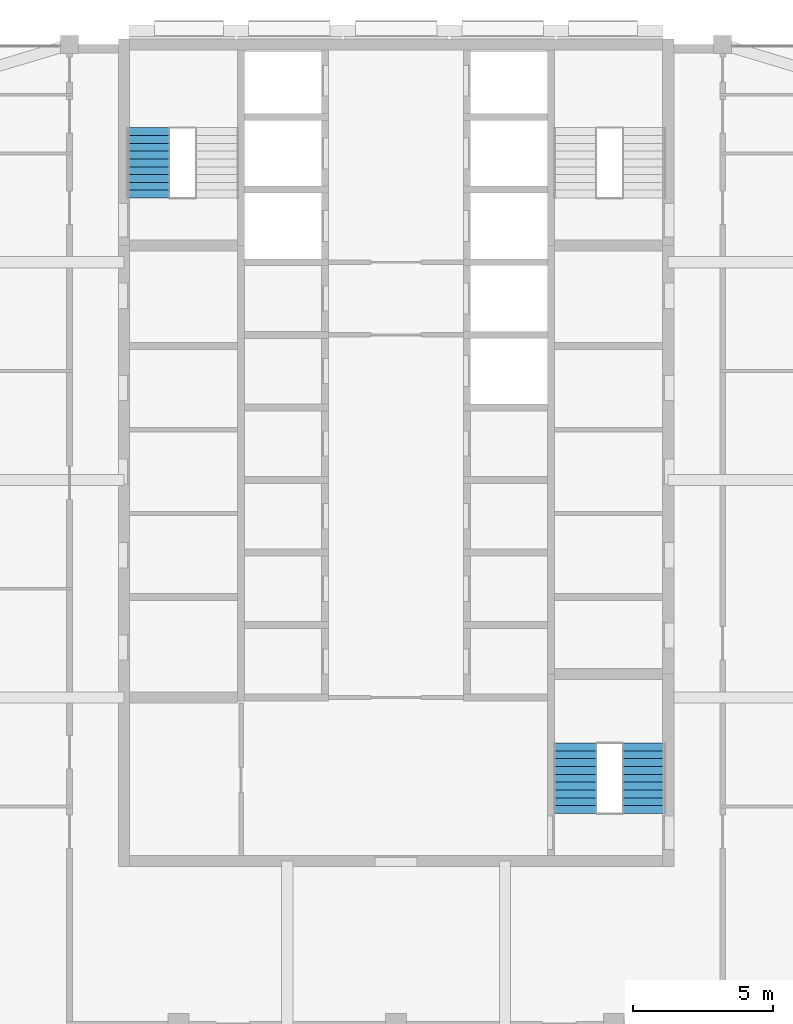
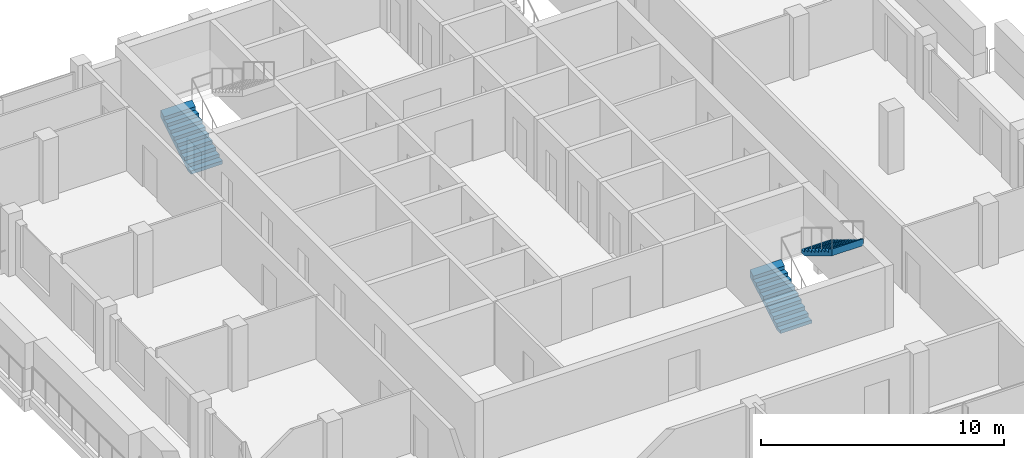
# One storey, part 15 of 19: 3 stair flights, 2 elements without a shape of their own.
"""IFC4 building model written with IfcOpenShell, lengths in metres."""

from ifc_helpers import new_model, si_unit, direction, frame, origin, place, context, subcontext, project, spatial, triangles, material, type_object, element, aggregate, save


model = new_model("IFC4")

# Units and contexts
model_context = context("Model", 3, precision=1e-05, world=origin(), true_north=direction((0.0, 1.0)))
body_context = subcontext(model_context, "Body", "Model", "MODEL_VIEW")
ifc_project = project(units=[si_unit("LENGTHUNIT", "METRE"), si_unit("AREAUNIT", "SQUARE_METRE"), si_unit("VOLUMEUNIT", "CUBIC_METRE"), si_unit("PLANEANGLEUNIT", "RADIAN"), si_unit("MASSUNIT", "GRAM", prefix="KILO")], contexts=[model_context])

# Site, building, storey
site_placement = place(None, origin())
site = spatial("IfcSite", under=ifc_project, at=site_placement, CompositionType="ELEMENT")
building_placement = place(site_placement, origin())
building = spatial("IfcBuilding", under=site, at=building_placement, Name="Ludao Terraces", CompositionType="ELEMENT")
storey_placement = place(building_placement, frame((0.0, 0.0, 256.199951171875)))
storey = spatial("IfcBuildingStorey", under=building, at=storey_placement, Name="L70", CompositionType="ELEMENT", Elevation=256.199951171875)

# Stair, stair flight
ifc_material = material(Name="Concrete C40", Category="concrete")
stair_type = type_object("IfcStairType", Name="INT Stair", PredefinedType="HALF_TURN_STAIR", material=ifc_material)
stair_1_placement = place(storey_placement, origin())
stair_1 = element("IfcStair", 1, at=stair_1_placement, inside=storey, type_object=stair_type, Name="EXIT STAIR 1", PredefinedType="HALF_TURN_STAIR")
stair_flight_type = type_object("IfcStairFlightType", Name="INT Stair flight", PredefinedType="STRAIGHT", material=ifc_material)
stair_flight_1_placement = place(storey_placement, frame((76.125, 79.0, 0.0), z_axis=(0.0, 0.0, 1.0), x_axis=(0.0, 1.0, 0.0)))
stair_flight_1 = element("IfcStairFlight", 2, at=stair_flight_1_placement, type_object=stair_flight_type, Name="ST1 flight 1", NumberOfRisers=10, NumberOfTreads=9, PredefinedType="STRAIGHT", RiserHeight=0.17, TreadLength=0.28, context=body_context, shape_type="Tessellation", body=[
    triangles([(0.0, -0.75, 0.0), (0.0, -0.5, 0.0), (0.0, -0.25, 0.0), (0.0, 0.0, 0.0), (0.0, 0.25, 0.0), (0.0, 0.5, 0.0), (0.0, 0.75, 0.0), (0.0, -0.75, 0.169921875), (0.0, -0.5, 0.169921875), (0.0, -0.25, 0.169921875), (0.0, 0.0, 0.169921875), (0.0, 0.25, 0.169921875), (0.0, 0.5, 0.169921875), (0.0, 0.75, 0.169921875), (0.280029296875, -0.75, 0.169921875), (0.280029296875, -0.5, 0.169921875), (0.280029296875, -0.25, 0.169921875), (0.280029296875, 0.0, 0.169921875), (0.280029296875, 0.25, 0.169921875), (0.280029296875, 0.5, 0.169921875), (0.280029296875, 0.75, 0.169921875), (0.280029296875, -0.75, 0.340087890625), (0.280029296875, -0.5, 0.340087890625), (0.280029296875, -0.25, 0.340087890625), (0.280029296875, 0.0, 0.340087890625), (0.280029296875, 0.25, 0.340087890625), (0.280029296875, 0.5, 0.340087890625), (0.280029296875, 0.75, 0.340087890625), (0.56005859375, -0.75, 0.340087890625), (0.56005859375, -0.5, 0.340087890625), (0.56005859375, -0.25, 0.340087890625), (0.56005859375, 0.0, 0.340087890625), (0.56005859375, 0.25, 0.340087890625), (0.56005859375, 0.5, 0.340087890625), (0.56005859375, 0.75, 0.340087890625), (0.56005859375, -0.75, 0.510009765625), (0.56005859375, -0.5, 0.510009765625), (0.56005859375, -0.25, 0.510009765625), (0.56005859375, 0.0, 0.510009765625), (0.56005859375, 0.25, 0.510009765625), (0.56005859375, 0.5, 0.510009765625), (0.56005859375, 0.75, 0.510009765625), (0.840087890625, -0.75, 0.510009765625), (0.840087890625, -0.5, 0.510009765625), (0.840087890625, -0.25, 0.510009765625), (0.840087890625, 0.0, 0.510009765625), (0.840087890625, 0.25, 0.510009765625), (0.840087890625, 0.5, 0.510009765625), (0.840087890625, 0.75, 0.510009765625), (0.840087890625, -0.75, 0.679931640625), (0.840087890625, -0.5, 0.679931640625), (0.840087890625, -0.25, 0.679931640625), (0.840087890625, 0.0, 0.679931640625), (0.840087890625, 0.25, 0.679931640625), (0.840087890625, 0.5, 0.679931640625), (0.840087890625, 0.75, 0.679931640625), (1.1201171875, -0.75, 0.679931640625), (1.1201171875, -0.5, 0.679931640625), (1.1201171875, -0.25, 0.679931640625), (1.1201171875, 0.0, 0.679931640625), (1.1201171875, 0.25, 0.679931640625), (1.1201171875, 0.5, 0.679931640625), (1.1201171875, 0.75, 0.679931640625), (1.1201171875, -0.75, 0.85009765625), (1.1201171875, -0.5, 0.85009765625), (1.1201171875, -0.25, 0.85009765625), (1.1201171875, 0.0, 0.85009765625), (1.1201171875, 0.25, 0.85009765625), (1.1201171875, 0.5, 0.85009765625), (1.1201171875, 0.75, 0.85009765625), (1.39990234375, -0.75, 0.85009765625), (1.39990234375, -0.5, 0.85009765625), (1.39990234375, -0.25, 0.85009765625), (1.39990234375, 0.0, 0.85009765625), (1.39990234375, 0.25, 0.85009765625), (1.39990234375, 0.5, 0.85009765625), (1.39990234375, 0.75, 0.85009765625), (1.39990234375, -0.75, 1.02001953125), (1.39990234375, -0.5, 1.02001953125), (1.39990234375, -0.25, 1.02001953125), (1.39990234375, 0.0, 1.02001953125), (1.39990234375, 0.25, 1.02001953125), (1.39990234375, 0.5, 1.02001953125), (1.39990234375, 0.75, 1.02001953125), (1.679931640625, -0.75, 1.02001953125), (1.679931640625, -0.5, 1.02001953125), (1.679931640625, -0.25, 1.02001953125), (1.679931640625, 0.0, 1.02001953125), (1.679931640625, 0.25, 1.02001953125), (1.679931640625, 0.5, 1.02001953125), (1.679931640625, 0.75, 1.02001953125), (1.679931640625, -0.75, 1.18994140625), (1.679931640625, -0.5, 1.18994140625), (1.679931640625, -0.25, 1.18994140625), (1.679931640625, 0.0, 1.18994140625), (1.679931640625, 0.25, 1.18994140625), (1.679931640625, 0.5, 1.18994140625), (1.679931640625, 0.75, 1.18994140625), (1.9599609375, -0.75, 1.18994140625), (1.9599609375, -0.5, 1.18994140625), (1.9599609375, -0.25, 1.18994140625), (1.9599609375, 0.0, 1.18994140625), (1.9599609375, 0.25, 1.18994140625), (1.9599609375, 0.5, 1.18994140625), (1.9599609375, 0.75, 1.18994140625), (1.9599609375, -0.75, 1.360107421875), (1.9599609375, -0.5, 1.360107421875), (1.9599609375, -0.25, 1.360107421875), (1.9599609375, 0.0, 1.360107421875), (1.9599609375, 0.25, 1.360107421875), (1.9599609375, 0.5, 1.360107421875), (1.9599609375, 0.75, 1.360107421875), (2.239990234375, -0.75, 1.360107421875), (2.239990234375, -0.5, 1.360107421875), (2.239990234375, -0.25, 1.360107421875), (2.239990234375, 0.0, 1.360107421875), (2.239990234375, 0.25, 1.360107421875), (2.239990234375, 0.5, 1.360107421875), (2.239990234375, 0.75, 1.360107421875), (2.239990234375, -0.75, 1.530029296875), (2.239990234375, -0.5, 1.530029296875), (2.239990234375, -0.25, 1.530029296875), (2.239990234375, 0.0, 1.530029296875), (2.239990234375, 0.25, 1.530029296875), (2.239990234375, 0.5, 1.530029296875), (2.239990234375, 0.75, 1.530029296875), (2.52001953125, -0.75, 1.699951171875), (2.52001953125, -0.5, 1.699951171875), (2.52001953125, -0.25, 1.699951171875), (2.52001953125, 0.0, 1.699951171875), (2.52001953125, 0.25, 1.699951171875), (2.52001953125, 0.5, 1.699951171875), (2.52001953125, 0.75, 1.699951171875), (2.52001953125, -0.75, 1.354736328125), (2.52001953125, -0.5, 1.354736328125), (2.52001953125, -0.25, 1.354736328125), (2.52001953125, 0.0, 1.354736328125), (2.52001953125, 0.25, 1.354736328125), (2.52001953125, 0.5, 1.354736328125), (2.52001953125, 0.75, 1.354736328125), (0.288818359375, -0.75, 0.0), (0.288818359375, -0.5, 0.0), (0.288818359375, -0.25, 0.0), (0.288818359375, 0.0, 0.0), (0.288818359375, 0.25, 0.0), (0.288818359375, 0.5, 0.0), (0.288818359375, 0.75, 0.0)], [[1, 141, 134], [7, 140, 147], [134, 127, 120], [140, 126, 133], [134, 120, 113], [140, 119, 126], [134, 113, 106], [140, 112, 119], [134, 106, 99], [140, 105, 112], [99, 92, 85], [105, 91, 98], [134, 99, 85], [140, 91, 105], [85, 78, 71], [91, 77, 84], [134, 85, 71], [140, 77, 91], [71, 64, 57], [77, 63, 70], [134, 71, 57], [140, 63, 77], [57, 50, 43], [63, 49, 56], [134, 57, 43], [140, 49, 63], [43, 36, 29], [49, 35, 42], [134, 43, 29], [140, 35, 49], [29, 22, 15], [35, 21, 28], [134, 29, 15], [140, 21, 35], [1, 134, 15], [7, 21, 140], [15, 8, 1], [21, 7, 14], [1, 9, 2], [1, 8, 9], [2, 10, 3], [2, 9, 10], [3, 11, 4], [3, 10, 11], [4, 12, 5], [4, 11, 12], [5, 13, 6], [5, 12, 13], [6, 14, 7], [6, 13, 14], [8, 16, 9], [8, 15, 16], [9, 17, 10], [9, 16, 17], [10, 18, 11], [10, 17, 18], [11, 19, 12], [11, 18, 19], [12, 20, 13], [12, 19, 20], [13, 21, 14], [13, 20, 21], [15, 23, 16], [15, 22, 23], [16, 24, 17], [16, 23, 24], [17, 25, 18], [17, 24, 25], [18, 26, 19], [18, 25, 26], [19, 27, 20], [19, 26, 27], [20, 28, 21], [20, 27, 28], [22, 30, 23], [22, 29, 30], [23, 31, 24], [23, 30, 31], [24, 32, 25], [24, 31, 32], [25, 33, 26], [25, 32, 33], [26, 34, 27], [26, 33, 34], [27, 35, 28], [27, 34, 35], [29, 37, 30], [29, 36, 37], [30, 38, 31], [30, 37, 38], [31, 39, 32], [31, 38, 39], [32, 40, 33], [32, 39, 40], [33, 41, 34], [33, 40, 41], [34, 42, 35], [34, 41, 42], [36, 44, 37], [36, 43, 44], [37, 45, 38], [37, 44, 45], [38, 46, 39], [38, 45, 46], [39, 47, 40], [39, 46, 47], [40, 48, 41], [40, 47, 48], [41, 49, 42], [41, 48, 49], [43, 51, 44], [43, 50, 51], [44, 52, 45], [44, 51, 52], [45, 53, 46], [45, 52, 53], [46, 54, 47], [46, 53, 54], [47, 55, 48], [47, 54, 55], [48, 56, 49], [48, 55, 56], [50, 58, 51], [50, 57, 58], [51, 59, 52], [51, 58, 59], [52, 60, 53], [52, 59, 60], [53, 61, 54], [53, 60, 61], [54, 62, 55], [54, 61, 62], [55, 63, 56], [55, 62, 63], [57, 65, 58], [57, 64, 65], [58, 66, 59], [58, 65, 66], [59, 67, 60], [59, 66, 67], [60, 68, 61], [60, 67, 68], [61, 69, 62], [61, 68, 69], [62, 70, 63], [62, 69, 70], [64, 72, 65], [64, 71, 72], [65, 73, 66], [65, 72, 73], [66, 74, 67], [66, 73, 74], [67, 75, 68], [67, 74, 75], [68, 76, 69], [68, 75, 76], [69, 77, 70], [69, 76, 77], [71, 79, 72], [71, 78, 79], [72, 80, 73], [72, 79, 80], [73, 81, 74], [73, 80, 81], [74, 82, 75], [74, 81, 82], [75, 83, 76], [75, 82, 83], [76, 84, 77], [76, 83, 84], [78, 86, 79], [78, 85, 86], [79, 87, 80], [79, 86, 87], [80, 88, 81], [80, 87, 88], [81, 89, 82], [81, 88, 89], [82, 90, 83], [82, 89, 90], [83, 91, 84], [83, 90, 91], [85, 93, 86], [85, 92, 93], [86, 94, 87], [86, 93, 94], [87, 95, 88], [87, 94, 95], [88, 96, 89], [88, 95, 96], [89, 97, 90], [89, 96, 97], [90, 98, 91], [90, 97, 98], [92, 100, 93], [92, 99, 100], [93, 101, 94], [93, 100, 101], [94, 102, 95], [94, 101, 102], [95, 103, 96], [95, 102, 103], [96, 104, 97], [96, 103, 104], [97, 105, 98], [97, 104, 105], [99, 107, 100], [99, 106, 107], [100, 108, 101], [100, 107, 108], [101, 109, 102], [101, 108, 109], [102, 110, 103], [102, 109, 110], [103, 111, 104], [103, 110, 111], [104, 112, 105], [104, 111, 112], [106, 114, 107], [106, 113, 114], [107, 115, 108], [107, 114, 115], [108, 116, 109], [108, 115, 116], [109, 117, 110], [109, 116, 117], [110, 118, 111], [110, 117, 118], [111, 119, 112], [111, 118, 119], [113, 121, 114], [113, 120, 121], [114, 122, 115], [114, 121, 122], [115, 123, 116], [115, 122, 123], [116, 124, 117], [116, 123, 124], [117, 125, 118], [117, 124, 125], [118, 126, 119], [118, 125, 126], [120, 128, 121], [120, 127, 128], [121, 129, 122], [121, 128, 129], [122, 130, 123], [122, 129, 130], [123, 131, 124], [123, 130, 131], [124, 132, 125], [124, 131, 132], [125, 133, 126], [125, 132, 133], [127, 135, 128], [127, 134, 135], [128, 136, 129], [128, 135, 136], [129, 137, 130], [129, 136, 137], [130, 138, 131], [130, 137, 138], [131, 139, 132], [131, 138, 139], [132, 140, 133], [132, 139, 140], [134, 142, 135], [134, 141, 142], [135, 143, 136], [135, 142, 143], [136, 144, 137], [136, 143, 144], [137, 145, 138], [137, 144, 145], [138, 146, 139], [138, 145, 146], [139, 147, 140], [139, 146, 147], [141, 2, 142], [141, 1, 2], [142, 3, 143], [142, 2, 3], [143, 4, 144], [143, 3, 4], [144, 5, 145], [144, 4, 5], [145, 6, 146], [145, 5, 6], [146, 7, 147], [146, 6, 7]], closed=True),
])
aggregate(stair_1, [stair_flight_1])

# Stair, stair flights
stair_2_placement = place(storey_placement, origin())
stair_2 = element("IfcStair", 3, at=stair_2_placement, inside=storey, type_object=stair_type, Name="EXIT STAIR 3", PredefinedType="HALF_TURN_STAIR")
stair_flight_2_placement = place(storey_placement, frame((91.425048828125, 56.949951171875, 0.0), z_axis=(0.0, 0.0, 1.0), x_axis=(0.0, 1.0, 0.0)))
stair_flight_2 = element("IfcStairFlight", 4, at=stair_flight_2_placement, type_object=stair_flight_type, Name="ST3 flight 1", NumberOfRisers=10, NumberOfTreads=9, PredefinedType="STRAIGHT", RiserHeight=0.17, TreadLength=0.28, context=body_context, shape_type="Tessellation", body=[
    triangles([(0.0, -0.75, 0.0), (0.0, -0.5, 0.0), (0.0, -0.25, 0.0), (0.0, 0.0, 0.0), (0.0, 0.25, 0.0), (0.0, 0.5, 0.0), (0.0, 0.75, 0.0), (0.0, -0.75, 0.169921875), (0.0, -0.5, 0.169921875), (0.0, -0.25, 0.169921875), (0.0, 0.0, 0.169921875), (0.0, 0.25, 0.169921875), (0.0, 0.5, 0.169921875), (0.0, 0.75, 0.169921875), (0.280029296875, -0.75, 0.169921875), (0.280029296875, -0.5, 0.169921875), (0.280029296875, -0.25, 0.169921875), (0.280029296875, 0.0, 0.169921875), (0.280029296875, 0.25, 0.169921875), (0.280029296875, 0.5, 0.169921875), (0.280029296875, 0.75, 0.169921875), (0.280029296875, -0.75, 0.340087890625), (0.280029296875, -0.5, 0.340087890625), (0.280029296875, -0.25, 0.340087890625), (0.280029296875, 0.0, 0.340087890625), (0.280029296875, 0.25, 0.340087890625), (0.280029296875, 0.5, 0.340087890625), (0.280029296875, 0.75, 0.340087890625), (0.56005859375, -0.75, 0.340087890625), (0.56005859375, -0.5, 0.340087890625), (0.56005859375, -0.25, 0.340087890625), (0.56005859375, 0.0, 0.340087890625), (0.56005859375, 0.25, 0.340087890625), (0.56005859375, 0.5, 0.340087890625), (0.56005859375, 0.75, 0.340087890625), (0.56005859375, -0.75, 0.510009765625), (0.56005859375, -0.5, 0.510009765625), (0.56005859375, -0.25, 0.510009765625), (0.56005859375, 0.0, 0.510009765625), (0.56005859375, 0.25, 0.510009765625), (0.56005859375, 0.5, 0.510009765625), (0.56005859375, 0.75, 0.510009765625), (0.840087890625, -0.75, 0.510009765625), (0.840087890625, -0.5, 0.510009765625), (0.840087890625, -0.25, 0.510009765625), (0.840087890625, 0.0, 0.510009765625), (0.840087890625, 0.25, 0.510009765625), (0.840087890625, 0.5, 0.510009765625), (0.840087890625, 0.75, 0.510009765625), (0.840087890625, -0.75, 0.679931640625), (0.840087890625, -0.5, 0.679931640625), (0.840087890625, -0.25, 0.679931640625), (0.840087890625, 0.0, 0.679931640625), (0.840087890625, 0.25, 0.679931640625), (0.840087890625, 0.5, 0.679931640625), (0.840087890625, 0.75, 0.679931640625), (1.1201171875, -0.75, 0.679931640625), (1.1201171875, -0.5, 0.679931640625), (1.1201171875, -0.25, 0.679931640625), (1.1201171875, 0.0, 0.679931640625), (1.1201171875, 0.25, 0.679931640625), (1.1201171875, 0.5, 0.679931640625), (1.1201171875, 0.75, 0.679931640625), (1.1201171875, -0.75, 0.85009765625), (1.1201171875, -0.5, 0.85009765625), (1.1201171875, -0.25, 0.85009765625), (1.1201171875, 0.0, 0.85009765625), (1.1201171875, 0.25, 0.85009765625), (1.1201171875, 0.5, 0.85009765625), (1.1201171875, 0.75, 0.85009765625), (1.39990234375, -0.75, 0.85009765625), (1.39990234375, -0.5, 0.85009765625), (1.39990234375, -0.25, 0.85009765625), (1.39990234375, 0.0, 0.85009765625), (1.39990234375, 0.25, 0.85009765625), (1.39990234375, 0.5, 0.85009765625), (1.39990234375, 0.75, 0.85009765625), (1.39990234375, -0.75, 1.02001953125), (1.39990234375, -0.5, 1.02001953125), (1.39990234375, -0.25, 1.02001953125), (1.39990234375, 0.0, 1.02001953125), (1.39990234375, 0.25, 1.02001953125), (1.39990234375, 0.5, 1.02001953125), (1.39990234375, 0.75, 1.02001953125), (1.679931640625, -0.75, 1.02001953125), (1.679931640625, -0.5, 1.02001953125), (1.679931640625, -0.25, 1.02001953125), (1.679931640625, 0.0, 1.02001953125), (1.679931640625, 0.25, 1.02001953125), (1.679931640625, 0.5, 1.02001953125), (1.679931640625, 0.75, 1.02001953125), (1.679931640625, -0.75, 1.18994140625), (1.679931640625, -0.5, 1.18994140625), (1.679931640625, -0.25, 1.18994140625), (1.679931640625, 0.0, 1.18994140625), (1.679931640625, 0.25, 1.18994140625), (1.679931640625, 0.5, 1.18994140625), (1.679931640625, 0.75, 1.18994140625), (1.9599609375, -0.75, 1.18994140625), (1.9599609375, -0.5, 1.18994140625), (1.9599609375, -0.25, 1.18994140625), (1.9599609375, 0.0, 1.18994140625), (1.9599609375, 0.25, 1.18994140625), (1.9599609375, 0.5, 1.18994140625), (1.9599609375, 0.75, 1.18994140625), (1.9599609375, -0.75, 1.360107421875), (1.9599609375, -0.5, 1.360107421875), (1.9599609375, -0.25, 1.360107421875), (1.9599609375, 0.0, 1.360107421875), (1.9599609375, 0.25, 1.360107421875), (1.9599609375, 0.5, 1.360107421875), (1.9599609375, 0.75, 1.360107421875), (2.239990234375, -0.75, 1.360107421875), (2.239990234375, -0.5, 1.360107421875), (2.239990234375, -0.25, 1.360107421875), (2.239990234375, 0.0, 1.360107421875), (2.239990234375, 0.25, 1.360107421875), (2.239990234375, 0.5, 1.360107421875), (2.239990234375, 0.75, 1.360107421875), (2.239990234375, -0.75, 1.530029296875), (2.239990234375, -0.5, 1.530029296875), (2.239990234375, -0.25, 1.530029296875), (2.239990234375, 0.0, 1.530029296875), (2.239990234375, 0.25, 1.530029296875), (2.239990234375, 0.5, 1.530029296875), (2.239990234375, 0.75, 1.530029296875), (2.52001953125, -0.75, 1.699951171875), (2.52001953125, -0.5, 1.699951171875), (2.52001953125, -0.25, 1.699951171875), (2.52001953125, 0.0, 1.699951171875), (2.52001953125, 0.25, 1.699951171875), (2.52001953125, 0.5, 1.699951171875), (2.52001953125, 0.75, 1.699951171875), (2.52001953125, -0.75, 1.354736328125), (2.52001953125, -0.5, 1.354736328125), (2.52001953125, -0.25, 1.354736328125), (2.52001953125, 0.0, 1.354736328125), (2.52001953125, 0.25, 1.354736328125), (2.52001953125, 0.5, 1.354736328125), (2.52001953125, 0.75, 1.354736328125), (0.288818359375, -0.75, 0.0), (0.288818359375, -0.5, 0.0), (0.288818359375, -0.25, 0.0), (0.288818359375, 0.0, 0.0), (0.288818359375, 0.25, 0.0), (0.288818359375, 0.5, 0.0), (0.288818359375, 0.75, 0.0)], [[1, 141, 134], [7, 140, 147], [134, 127, 120], [140, 126, 133], [134, 120, 113], [140, 119, 126], [134, 113, 106], [140, 112, 119], [134, 106, 99], [140, 105, 112], [99, 92, 85], [105, 91, 98], [134, 99, 85], [140, 91, 105], [85, 78, 71], [91, 77, 84], [134, 85, 71], [140, 77, 91], [71, 64, 57], [77, 63, 70], [134, 71, 57], [140, 63, 77], [57, 50, 43], [63, 49, 56], [134, 57, 43], [140, 49, 63], [43, 36, 29], [49, 35, 42], [134, 43, 29], [140, 35, 49], [29, 22, 15], [35, 21, 28], [134, 29, 15], [140, 21, 35], [1, 134, 15], [7, 21, 140], [15, 8, 1], [21, 7, 14], [1, 9, 2], [1, 8, 9], [2, 10, 3], [2, 9, 10], [3, 11, 4], [3, 10, 11], [4, 12, 5], [4, 11, 12], [5, 13, 6], [5, 12, 13], [6, 14, 7], [6, 13, 14], [8, 16, 9], [8, 15, 16], [9, 17, 10], [9, 16, 17], [10, 18, 11], [10, 17, 18], [11, 19, 12], [11, 18, 19], [12, 20, 13], [12, 19, 20], [13, 21, 14], [13, 20, 21], [15, 23, 16], [15, 22, 23], [16, 24, 17], [16, 23, 24], [17, 25, 18], [17, 24, 25], [18, 26, 19], [18, 25, 26], [19, 27, 20], [19, 26, 27], [20, 28, 21], [20, 27, 28], [22, 30, 23], [22, 29, 30], [23, 31, 24], [23, 30, 31], [24, 32, 25], [24, 31, 32], [25, 33, 26], [25, 32, 33], [26, 34, 27], [26, 33, 34], [27, 35, 28], [27, 34, 35], [29, 37, 30], [29, 36, 37], [30, 38, 31], [30, 37, 38], [31, 39, 32], [31, 38, 39], [32, 40, 33], [32, 39, 40], [33, 41, 34], [33, 40, 41], [34, 42, 35], [34, 41, 42], [36, 44, 37], [36, 43, 44], [37, 45, 38], [37, 44, 45], [38, 46, 39], [38, 45, 46], [39, 47, 40], [39, 46, 47], [40, 48, 41], [40, 47, 48], [41, 49, 42], [41, 48, 49], [43, 51, 44], [43, 50, 51], [44, 52, 45], [44, 51, 52], [45, 53, 46], [45, 52, 53], [46, 54, 47], [46, 53, 54], [47, 55, 48], [47, 54, 55], [48, 56, 49], [48, 55, 56], [50, 58, 51], [50, 57, 58], [51, 59, 52], [51, 58, 59], [52, 60, 53], [52, 59, 60], [53, 61, 54], [53, 60, 61], [54, 62, 55], [54, 61, 62], [55, 63, 56], [55, 62, 63], [57, 65, 58], [57, 64, 65], [58, 66, 59], [58, 65, 66], [59, 67, 60], [59, 66, 67], [60, 68, 61], [60, 67, 68], [61, 69, 62], [61, 68, 69], [62, 70, 63], [62, 69, 70], [64, 72, 65], [64, 71, 72], [65, 73, 66], [65, 72, 73], [66, 74, 67], [66, 73, 74], [67, 75, 68], [67, 74, 75], [68, 76, 69], [68, 75, 76], [69, 77, 70], [69, 76, 77], [71, 79, 72], [71, 78, 79], [72, 80, 73], [72, 79, 80], [73, 81, 74], [73, 80, 81], [74, 82, 75], [74, 81, 82], [75, 83, 76], [75, 82, 83], [76, 84, 77], [76, 83, 84], [78, 86, 79], [78, 85, 86], [79, 87, 80], [79, 86, 87], [80, 88, 81], [80, 87, 88], [81, 89, 82], [81, 88, 89], [82, 90, 83], [82, 89, 90], [83, 91, 84], [83, 90, 91], [85, 93, 86], [85, 92, 93], [86, 94, 87], [86, 93, 94], [87, 95, 88], [87, 94, 95], [88, 96, 89], [88, 95, 96], [89, 97, 90], [89, 96, 97], [90, 98, 91], [90, 97, 98], [92, 100, 93], [92, 99, 100], [93, 101, 94], [93, 100, 101], [94, 102, 95], [94, 101, 102], [95, 103, 96], [95, 102, 103], [96, 104, 97], [96, 103, 104], [97, 105, 98], [97, 104, 105], [99, 107, 100], [99, 106, 107], [100, 108, 101], [100, 107, 108], [101, 109, 102], [101, 108, 109], [102, 110, 103], [102, 109, 110], [103, 111, 104], [103, 110, 111], [104, 112, 105], [104, 111, 112], [106, 114, 107], [106, 113, 114], [107, 115, 108], [107, 114, 115], [108, 116, 109], [108, 115, 116], [109, 117, 110], [109, 116, 117], [110, 118, 111], [110, 117, 118], [111, 119, 112], [111, 118, 119], [113, 121, 114], [113, 120, 121], [114, 122, 115], [114, 121, 122], [115, 123, 116], [115, 122, 123], [116, 124, 117], [116, 123, 124], [117, 125, 118], [117, 124, 125], [118, 126, 119], [118, 125, 126], [120, 128, 121], [120, 127, 128], [121, 129, 122], [121, 128, 129], [122, 130, 123], [122, 129, 130], [123, 131, 124], [123, 130, 131], [124, 132, 125], [124, 131, 132], [125, 133, 126], [125, 132, 133], [127, 135, 128], [127, 134, 135], [128, 136, 129], [128, 135, 136], [129, 137, 130], [129, 136, 137], [130, 138, 131], [130, 137, 138], [131, 139, 132], [131, 138, 139], [132, 140, 133], [132, 139, 140], [134, 142, 135], [134, 141, 142], [135, 143, 136], [135, 142, 143], [136, 144, 137], [136, 143, 144], [137, 145, 138], [137, 144, 145], [138, 146, 139], [138, 145, 146], [139, 147, 140], [139, 146, 147], [141, 2, 142], [141, 1, 2], [142, 3, 143], [142, 2, 3], [143, 4, 144], [143, 3, 4], [144, 5, 145], [144, 4, 5], [145, 6, 146], [145, 5, 6], [146, 7, 147], [146, 6, 7]], closed=True),
])
stair_flight_3_placement = place(storey_placement, frame((93.875, 59.469970703125, 1.699951171875), z_axis=(0.0, 0.0, 1.0), x_axis=(0.0, -1.0, 0.0)))
stair_flight_3 = element("IfcStairFlight", 5, at=stair_flight_3_placement, type_object=stair_flight_type, Name="ST3 flight 2", NumberOfRisers=10, NumberOfTreads=9, PredefinedType="STRAIGHT", RiserHeight=0.17, TreadLength=0.28, context=body_context, shape_type="Tessellation", body=[
    triangles([(0.0, -0.75, 0.0), (0.0, -0.5, 0.0), (0.0, -0.25, 0.0), (0.0, 0.0, 0.0), (0.0, 0.25, 0.0), (0.0, 0.5, 0.0), (0.0, 0.75, 0.0), (0.0, -0.75, 0.169921875), (0.0, -0.5, 0.169921875), (0.0, -0.25, 0.169921875), (0.0, 0.0, 0.169921875), (0.0, 0.25, 0.169921875), (0.0, 0.5, 0.169921875), (0.0, 0.75, 0.169921875), (0.280029296875, -0.75, 0.169921875), (0.280029296875, -0.5, 0.169921875), (0.280029296875, -0.25, 0.169921875), (0.280029296875, 0.0, 0.169921875), (0.280029296875, 0.25, 0.169921875), (0.280029296875, 0.5, 0.169921875), (0.280029296875, 0.75, 0.169921875), (0.280029296875, -0.75, 0.340087890625), (0.280029296875, -0.5, 0.340087890625), (0.280029296875, -0.25, 0.340087890625), (0.280029296875, 0.0, 0.340087890625), (0.280029296875, 0.25, 0.340087890625), (0.280029296875, 0.5, 0.340087890625), (0.280029296875, 0.75, 0.340087890625), (0.56005859375, -0.75, 0.340087890625), (0.56005859375, -0.5, 0.340087890625), (0.56005859375, -0.25, 0.340087890625), (0.56005859375, 0.0, 0.340087890625), (0.56005859375, 0.25, 0.340087890625), (0.56005859375, 0.5, 0.340087890625), (0.56005859375, 0.75, 0.340087890625), (0.56005859375, -0.75, 0.510009765625), (0.56005859375, -0.5, 0.510009765625), (0.56005859375, -0.25, 0.510009765625), (0.56005859375, 0.0, 0.510009765625), (0.56005859375, 0.25, 0.510009765625), (0.56005859375, 0.5, 0.510009765625), (0.56005859375, 0.75, 0.510009765625), (0.840087890625, -0.75, 0.510009765625), (0.840087890625, -0.5, 0.510009765625), (0.840087890625, -0.25, 0.510009765625), (0.840087890625, 0.0, 0.510009765625), (0.840087890625, 0.25, 0.510009765625), (0.840087890625, 0.5, 0.510009765625), (0.840087890625, 0.75, 0.510009765625), (0.840087890625, -0.75, 0.679931640625), (0.840087890625, -0.5, 0.679931640625), (0.840087890625, -0.25, 0.679931640625), (0.840087890625, 0.0, 0.679931640625), (0.840087890625, 0.25, 0.679931640625), (0.840087890625, 0.5, 0.679931640625), (0.840087890625, 0.75, 0.679931640625), (1.1201171875, -0.75, 0.679931640625), (1.1201171875, -0.5, 0.679931640625), (1.1201171875, -0.25, 0.679931640625), (1.1201171875, 0.0, 0.679931640625), (1.1201171875, 0.25, 0.679931640625), (1.1201171875, 0.5, 0.679931640625), (1.1201171875, 0.75, 0.679931640625), (1.1201171875, -0.75, 0.85009765625), (1.1201171875, -0.5, 0.85009765625), (1.1201171875, -0.25, 0.85009765625), (1.1201171875, 0.0, 0.85009765625), (1.1201171875, 0.25, 0.85009765625), (1.1201171875, 0.5, 0.85009765625), (1.1201171875, 0.75, 0.85009765625), (1.39990234375, -0.75, 0.85009765625), (1.39990234375, -0.5, 0.85009765625), (1.39990234375, -0.25, 0.85009765625), (1.39990234375, 0.0, 0.85009765625), (1.39990234375, 0.25, 0.85009765625), (1.39990234375, 0.5, 0.85009765625), (1.39990234375, 0.75, 0.85009765625), (1.39990234375, -0.75, 1.02001953125), (1.39990234375, -0.5, 1.02001953125), (1.39990234375, -0.25, 1.02001953125), (1.39990234375, 0.0, 1.02001953125), (1.39990234375, 0.25, 1.02001953125), (1.39990234375, 0.5, 1.02001953125), (1.39990234375, 0.75, 1.02001953125), (1.679931640625, -0.75, 1.02001953125), (1.679931640625, -0.5, 1.02001953125), (1.679931640625, -0.25, 1.02001953125), (1.679931640625, 0.0, 1.02001953125), (1.679931640625, 0.25, 1.02001953125), (1.679931640625, 0.5, 1.02001953125), (1.679931640625, 0.75, 1.02001953125), (1.679931640625, -0.75, 1.18994140625), (1.679931640625, -0.5, 1.18994140625), (1.679931640625, -0.25, 1.18994140625), (1.679931640625, 0.0, 1.18994140625), (1.679931640625, 0.25, 1.18994140625), (1.679931640625, 0.5, 1.18994140625), (1.679931640625, 0.75, 1.18994140625), (1.9599609375, -0.75, 1.18994140625), (1.9599609375, -0.5, 1.18994140625), (1.9599609375, -0.25, 1.18994140625), (1.9599609375, 0.0, 1.18994140625), (1.9599609375, 0.25, 1.18994140625), (1.9599609375, 0.5, 1.18994140625), (1.9599609375, 0.75, 1.18994140625), (1.9599609375, -0.75, 1.360107421875), (1.9599609375, -0.5, 1.360107421875), (1.9599609375, -0.25, 1.360107421875), (1.9599609375, 0.0, 1.360107421875), (1.9599609375, 0.25, 1.360107421875), (1.9599609375, 0.5, 1.360107421875), (1.9599609375, 0.75, 1.360107421875), (2.239990234375, -0.75, 1.360107421875), (2.239990234375, -0.5, 1.360107421875), (2.239990234375, -0.25, 1.360107421875), (2.239990234375, 0.0, 1.360107421875), (2.239990234375, 0.25, 1.360107421875), (2.239990234375, 0.5, 1.360107421875), (2.239990234375, 0.75, 1.360107421875), (2.239990234375, -0.75, 1.530029296875), (2.239990234375, -0.5, 1.530029296875), (2.239990234375, -0.25, 1.530029296875), (2.239990234375, 0.0, 1.530029296875), (2.239990234375, 0.25, 1.530029296875), (2.239990234375, 0.5, 1.530029296875), (2.239990234375, 0.75, 1.530029296875), (2.52001953125, -0.75, 1.699951171875), (2.52001953125, -0.5, 1.699951171875), (2.52001953125, -0.25, 1.699951171875), (2.52001953125, 0.0, 1.699951171875), (2.52001953125, 0.25, 1.699951171875), (2.52001953125, 0.5, 1.699951171875), (2.52001953125, 0.75, 1.699951171875), (2.52001953125, -0.75, 1.354736328125), (2.52001953125, -0.5, 1.354736328125), (2.52001953125, -0.25, 1.354736328125), (2.52001953125, 0.0, 1.354736328125), (2.52001953125, 0.25, 1.354736328125), (2.52001953125, 0.5, 1.354736328125), (2.52001953125, 0.75, 1.354736328125), (0.288818359375, -0.75, 0.0), (0.288818359375, -0.5, 0.0), (0.288818359375, -0.25, 0.0), (0.288818359375, 0.0, 0.0), (0.288818359375, 0.25, 0.0), (0.288818359375, 0.5, 0.0), (0.288818359375, 0.75, 0.0)], [[1, 141, 134], [7, 140, 147], [134, 127, 120], [140, 126, 133], [134, 120, 113], [140, 119, 126], [134, 113, 106], [140, 112, 119], [134, 106, 99], [140, 105, 112], [99, 92, 85], [105, 91, 98], [134, 99, 85], [140, 91, 105], [85, 78, 71], [91, 77, 84], [134, 85, 71], [140, 77, 91], [71, 64, 57], [77, 63, 70], [134, 71, 57], [140, 63, 77], [57, 50, 43], [63, 49, 56], [134, 57, 43], [140, 49, 63], [43, 36, 29], [49, 35, 42], [134, 43, 29], [140, 35, 49], [29, 22, 15], [35, 21, 28], [134, 29, 15], [140, 21, 35], [1, 134, 15], [7, 21, 140], [15, 8, 1], [21, 7, 14], [1, 9, 2], [1, 8, 9], [2, 10, 3], [2, 9, 10], [3, 11, 4], [3, 10, 11], [4, 12, 5], [4, 11, 12], [5, 13, 6], [5, 12, 13], [6, 14, 7], [6, 13, 14], [8, 16, 9], [8, 15, 16], [9, 17, 10], [9, 16, 17], [10, 18, 11], [10, 17, 18], [11, 19, 12], [11, 18, 19], [12, 20, 13], [12, 19, 20], [13, 21, 14], [13, 20, 21], [15, 23, 16], [15, 22, 23], [16, 24, 17], [16, 23, 24], [17, 25, 18], [17, 24, 25], [18, 26, 19], [18, 25, 26], [19, 27, 20], [19, 26, 27], [20, 28, 21], [20, 27, 28], [22, 30, 23], [22, 29, 30], [23, 31, 24], [23, 30, 31], [24, 32, 25], [24, 31, 32], [25, 33, 26], [25, 32, 33], [26, 34, 27], [26, 33, 34], [27, 35, 28], [27, 34, 35], [29, 37, 30], [29, 36, 37], [30, 38, 31], [30, 37, 38], [31, 39, 32], [31, 38, 39], [32, 40, 33], [32, 39, 40], [33, 41, 34], [33, 40, 41], [34, 42, 35], [34, 41, 42], [36, 44, 37], [36, 43, 44], [37, 45, 38], [37, 44, 45], [38, 46, 39], [38, 45, 46], [39, 47, 40], [39, 46, 47], [40, 48, 41], [40, 47, 48], [41, 49, 42], [41, 48, 49], [43, 51, 44], [43, 50, 51], [44, 52, 45], [44, 51, 52], [45, 53, 46], [45, 52, 53], [46, 54, 47], [46, 53, 54], [47, 55, 48], [47, 54, 55], [48, 56, 49], [48, 55, 56], [50, 58, 51], [50, 57, 58], [51, 59, 52], [51, 58, 59], [52, 60, 53], [52, 59, 60], [53, 61, 54], [53, 60, 61], [54, 62, 55], [54, 61, 62], [55, 63, 56], [55, 62, 63], [57, 65, 58], [57, 64, 65], [58, 66, 59], [58, 65, 66], [59, 67, 60], [59, 66, 67], [60, 68, 61], [60, 67, 68], [61, 69, 62], [61, 68, 69], [62, 70, 63], [62, 69, 70], [64, 72, 65], [64, 71, 72], [65, 73, 66], [65, 72, 73], [66, 74, 67], [66, 73, 74], [67, 75, 68], [67, 74, 75], [68, 76, 69], [68, 75, 76], [69, 77, 70], [69, 76, 77], [71, 79, 72], [71, 78, 79], [72, 80, 73], [72, 79, 80], [73, 81, 74], [73, 80, 81], [74, 82, 75], [74, 81, 82], [75, 83, 76], [75, 82, 83], [76, 84, 77], [76, 83, 84], [78, 86, 79], [78, 85, 86], [79, 87, 80], [79, 86, 87], [80, 88, 81], [80, 87, 88], [81, 89, 82], [81, 88, 89], [82, 90, 83], [82, 89, 90], [83, 91, 84], [83, 90, 91], [85, 93, 86], [85, 92, 93], [86, 94, 87], [86, 93, 94], [87, 95, 88], [87, 94, 95], [88, 96, 89], [88, 95, 96], [89, 97, 90], [89, 96, 97], [90, 98, 91], [90, 97, 98], [92, 100, 93], [92, 99, 100], [93, 101, 94], [93, 100, 101], [94, 102, 95], [94, 101, 102], [95, 103, 96], [95, 102, 103], [96, 104, 97], [96, 103, 104], [97, 105, 98], [97, 104, 105], [99, 107, 100], [99, 106, 107], [100, 108, 101], [100, 107, 108], [101, 109, 102], [101, 108, 109], [102, 110, 103], [102, 109, 110], [103, 111, 104], [103, 110, 111], [104, 112, 105], [104, 111, 112], [106, 114, 107], [106, 113, 114], [107, 115, 108], [107, 114, 115], [108, 116, 109], [108, 115, 116], [109, 117, 110], [109, 116, 117], [110, 118, 111], [110, 117, 118], [111, 119, 112], [111, 118, 119], [113, 121, 114], [113, 120, 121], [114, 122, 115], [114, 121, 122], [115, 123, 116], [115, 122, 123], [116, 124, 117], [116, 123, 124], [117, 125, 118], [117, 124, 125], [118, 126, 119], [118, 125, 126], [120, 128, 121], [120, 127, 128], [121, 129, 122], [121, 128, 129], [122, 130, 123], [122, 129, 130], [123, 131, 124], [123, 130, 131], [124, 132, 125], [124, 131, 132], [125, 133, 126], [125, 132, 133], [127, 135, 128], [127, 134, 135], [128, 136, 129], [128, 135, 136], [129, 137, 130], [129, 136, 137], [130, 138, 131], [130, 137, 138], [131, 139, 132], [131, 138, 139], [132, 140, 133], [132, 139, 140], [134, 142, 135], [134, 141, 142], [135, 143, 136], [135, 142, 143], [136, 144, 137], [136, 143, 144], [137, 145, 138], [137, 144, 145], [138, 146, 139], [138, 145, 146], [139, 147, 140], [139, 146, 147], [141, 2, 142], [141, 1, 2], [142, 3, 143], [142, 2, 3], [143, 4, 144], [143, 3, 4], [144, 5, 145], [144, 4, 5], [145, 6, 146], [145, 5, 6], [146, 7, 147], [146, 6, 7]], closed=True),
])
aggregate(stair_2, [stair_flight_2, stair_flight_3])

save(model, "model.ifc")
